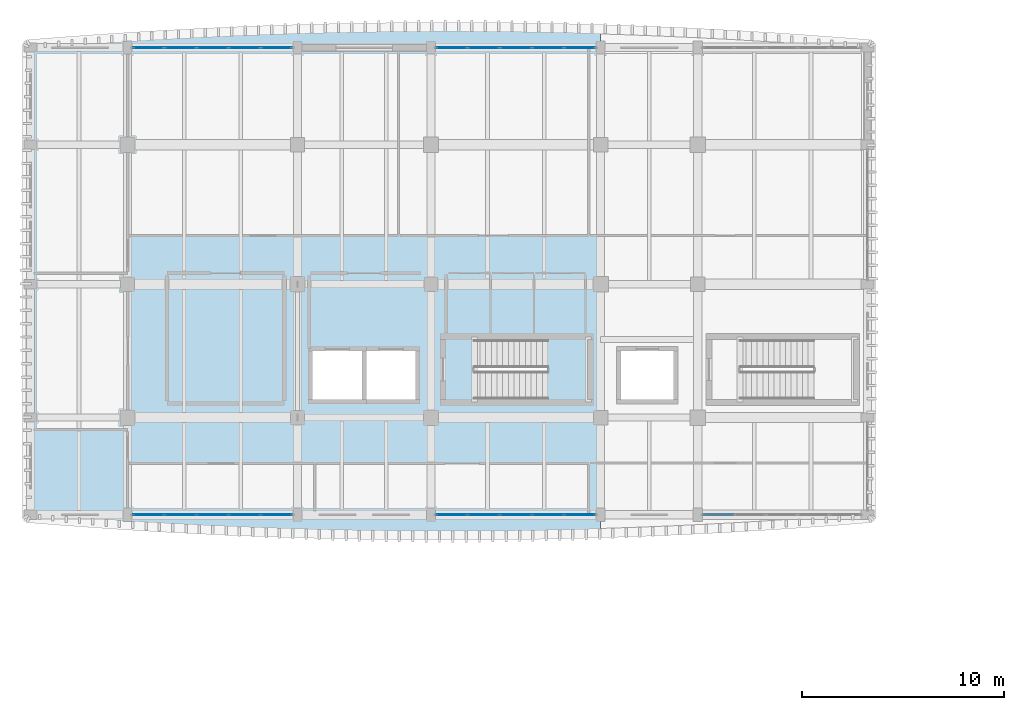
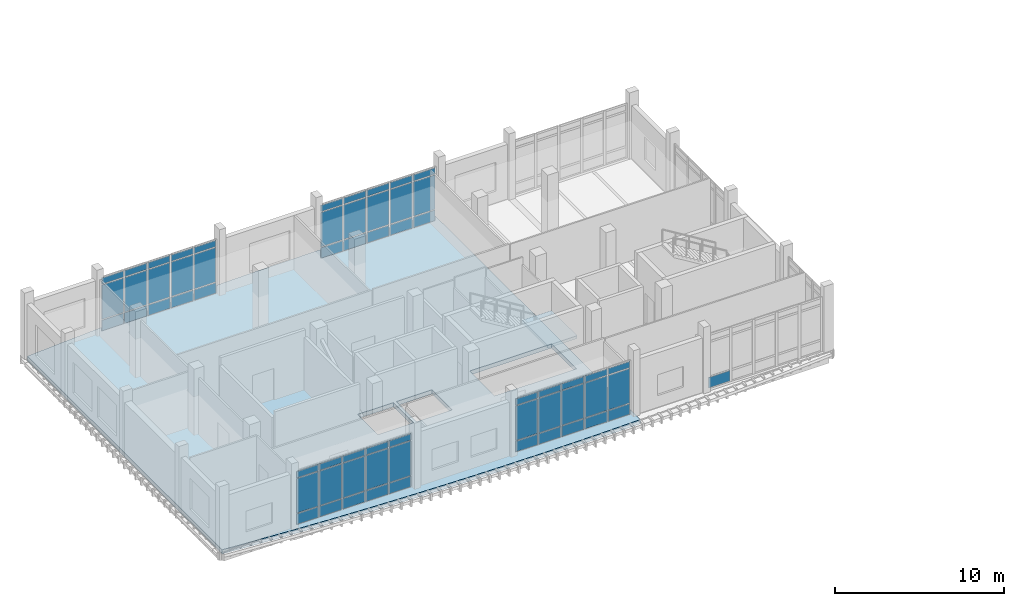
# One storey, part 14 of 37: 61 plates, 2 slabs, 6 elements without a shape of their own.
"""IFC4 building model written with IfcOpenShell, lengths in metres."""

from ifc_helpers import new_model, si_unit, direction, frame, origin, origin_2d, place, context, subcontext, project, spatial, polyline, rectangle, outline, extrude, material, layer, layer_set, type_object, element, aggregate, save


model = new_model("IFC4")

# Units and contexts
model_context = context("Model", 3, precision=1e-05, world=origin(), true_north=direction((0.0, 1.0)))
body_context = subcontext(model_context, "Body", "Model", "MODEL_VIEW")
ifc_project = project(units=[si_unit("LENGTHUNIT", "METRE"), si_unit("AREAUNIT", "SQUARE_METRE"), si_unit("VOLUMEUNIT", "CUBIC_METRE"), si_unit("PLANEANGLEUNIT", "RADIAN"), si_unit("MASSUNIT", "GRAM", prefix="KILO")], contexts=[model_context])

# Site, building, storey
site_placement = place(None, origin())
site = spatial("IfcSite", under=ifc_project, at=site_placement, CompositionType="ELEMENT")
building_placement = place(site_placement, origin())
building = spatial("IfcBuilding", under=site, at=building_placement, Name="Dornvale Research Institute", CompositionType="ELEMENT")
storey_placement = place(building_placement, frame((0.0, 0.0, 29.39990234375)))
storey = spatial("IfcBuildingStorey", under=building, at=storey_placement, Name="L06", CompositionType="ELEMENT", Elevation=29.39990234375)

# Curtain wall, plates
ifc_material_1 = material(Name="Low-E Argon Double Insulating Glazing Unit", Category="glass")
curtain_wall_type_1 = type_object("IfcCurtainWallType", Name="UnitisedCurtainWall_V5_7950x3950", PredefinedType="USERDEFINED", material=ifc_material_1)
curtain_wall_1_placement = place(storey_placement, origin())
curtain_wall_1 = element("IfcCurtainWall", 1, at=curtain_wall_1_placement, inside=storey, type_object=curtain_wall_type_1, Name="L06 V5 unitised curtain wall CW-30 #173", ObjectType="UNITISED CURTAIN WALL", PredefinedType="USERDEFINED")
ifc_material_2 = material(Name="Insulated Ceramic-Frit Spandrel Glass Panel", Category="glass")
ifc_layer_1 = layer(ifc_material_2, 0.0419921875)
ifc_layer_set_1 = layer_set([ifc_layer_1], Name="Insulated Ceramic-Frit Spandrel Glass Panel")
plate_type_1 = type_object("IfcPlateType", Name="CurtainPanel_Spandrel_42", PredefinedType="CURTAIN_PANEL", material=ifc_layer_set_1)
plate_1_placement = place(storey_placement, frame((5.836181640625, 122.10009765625, 0.065185546875), z_axis=(0.0, 0.0, 1.0), x_axis=(1.0, 0.0, 0.0)))
plate_1 = element("IfcPlate", 2, at=plate_1_placement, type_object=plate_type_1, Name="CW-30 panel 1.1", PredefinedType="CURTAIN_PANEL", context=body_context, shape_type="SweptSolid", body=[
    extrude(rectangle(XDim=1.492431640625, YDim=0.0419921875, at=origin_2d()), origin(), (0.0, 0.0, 1.0), 0.75244140625),
])
plate_2_placement = place(storey_placement, frame((7.409912109375, 122.10009765625, 0.065185546875), z_axis=(0.0, 0.0, 1.0), x_axis=(1.0, 0.0, 0.0)))
plate_2 = element("IfcPlate", 3, at=plate_2_placement, type_object=plate_type_1, Name="CW-30 panel 2.1", PredefinedType="CURTAIN_PANEL", context=body_context, shape_type="SweptSolid", body=[
    extrude(rectangle(XDim=1.52490234375, YDim=0.0419921875, at=origin_2d()), origin(), (0.0, 0.0, 1.0), 0.75244140625),
])
plate_3_placement = place(storey_placement, frame((9.0, 122.10009765625, 0.065185546875), z_axis=(0.0, 0.0, 1.0), x_axis=(1.0, 0.0, 0.0)))
plate_3 = element("IfcPlate", 4, at=plate_3_placement, type_object=plate_type_1, Name="CW-30 panel 3.1", PredefinedType="CURTAIN_PANEL", context=body_context, shape_type="SweptSolid", body=[
    extrude(rectangle(XDim=1.52490234375, YDim=0.0419921875, at=origin_2d()), origin(), (0.0, 0.0, 1.0), 0.75244140625),
])
plate_4_placement = place(storey_placement, frame((10.590087890625, 122.10009765625, 0.065185546875), z_axis=(0.0, 0.0, 1.0), x_axis=(1.0, 0.0, 0.0)))
plate_4 = element("IfcPlate", 5, at=plate_4_placement, type_object=plate_type_1, Name="CW-30 panel 4.1", PredefinedType="CURTAIN_PANEL", context=body_context, shape_type="SweptSolid", body=[
    extrude(rectangle(XDim=1.52490234375, YDim=0.0419921875, at=origin_2d()), origin(), (0.0, 0.0, 1.0), 0.75244140625),
])
plate_5_placement = place(storey_placement, frame((12.163818359375, 122.10009765625, 0.065185546875), z_axis=(0.0, 0.0, 1.0), x_axis=(1.0, 0.0, 0.0)))
plate_5 = element("IfcPlate", 6, at=plate_5_placement, type_object=plate_type_1, Name="CW-30 panel 5.1", PredefinedType="CURTAIN_PANEL", context=body_context, shape_type="SweptSolid", body=[
    extrude(rectangle(XDim=1.492431640625, YDim=0.0419921875, at=origin_2d()), origin(), (0.0, 0.0, 1.0), 0.75244140625),
])

curtain_wall_2_placement = place(storey_placement, origin())
curtain_wall_2 = element("IfcCurtainWall", 7, at=curtain_wall_2_placement, inside=storey, type_object=curtain_wall_type_1, Name="L06 V5 unitised curtain wall CW-30 #174", ObjectType="UNITISED CURTAIN WALL", PredefinedType="USERDEFINED")
plate_6_placement = place(storey_placement, frame((20.836181640625, 122.10009765625, 0.065185546875), z_axis=(0.0, 0.0, 1.0), x_axis=(1.0, 0.0, 0.0)))
plate_6 = element("IfcPlate", 8, at=plate_6_placement, type_object=plate_type_1, Name="CW-30 panel 1.1", PredefinedType="CURTAIN_PANEL", context=body_context, shape_type="SweptSolid", body=[
    extrude(rectangle(XDim=1.492431640625, YDim=0.0419921875, at=origin_2d()), origin(), (0.0, 0.0, 1.0), 0.75244140625),
])
plate_7_placement = place(storey_placement, frame((22.409912109375, 122.10009765625, 0.065185546875), z_axis=(0.0, 0.0, 1.0), x_axis=(1.0, 0.0, 0.0)))
plate_7 = element("IfcPlate", 9, at=plate_7_placement, type_object=plate_type_1, Name="CW-30 panel 2.1", PredefinedType="CURTAIN_PANEL", context=body_context, shape_type="SweptSolid", body=[
    extrude(rectangle(XDim=1.52490234375, YDim=0.0419921875, at=origin_2d()), origin(), (0.0, 0.0, 1.0), 0.75244140625),
])
plate_8_placement = place(storey_placement, frame((24.0, 122.10009765625, 0.065185546875), z_axis=(0.0, 0.0, 1.0), x_axis=(1.0, 0.0, 0.0)))
plate_8 = element("IfcPlate", 10, at=plate_8_placement, type_object=plate_type_1, Name="CW-30 panel 3.1", PredefinedType="CURTAIN_PANEL", context=body_context, shape_type="SweptSolid", body=[
    extrude(rectangle(XDim=1.52490234375, YDim=0.0419921875, at=origin_2d()), origin(), (0.0, 0.0, 1.0), 0.75244140625),
])
plate_9_placement = place(storey_placement, frame((25.590087890625, 122.10009765625, 0.065185546875), z_axis=(0.0, 0.0, 1.0), x_axis=(1.0, 0.0, 0.0)))
plate_9 = element("IfcPlate", 11, at=plate_9_placement, type_object=plate_type_1, Name="CW-30 panel 4.1", PredefinedType="CURTAIN_PANEL", context=body_context, shape_type="SweptSolid", body=[
    extrude(rectangle(XDim=1.52490234375, YDim=0.0419921875, at=origin_2d()), origin(), (0.0, 0.0, 1.0), 0.75244140625),
])
plate_10_placement = place(storey_placement, frame((27.163818359375, 122.10009765625, 0.065185546875), z_axis=(0.0, 0.0, 1.0), x_axis=(1.0, 0.0, 0.0)))
plate_10 = element("IfcPlate", 12, at=plate_10_placement, type_object=plate_type_1, Name="CW-30 panel 5.1", PredefinedType="CURTAIN_PANEL", context=body_context, shape_type="SweptSolid", body=[
    extrude(rectangle(XDim=1.492431640625, YDim=0.0419921875, at=origin_2d()), origin(), (0.0, 0.0, 1.0), 0.75244140625),
])

# Curtain wall, plate
ifc_material_3 = material(Name="Low-E Argon Double Insulating Glazing Unit", Category="glass")
curtain_wall_type_2 = type_object("IfcCurtainWallType", Name="UnitisedCurtainWall_V5_7850x3950", PredefinedType="USERDEFINED", material=ifc_material_3)
curtain_wall_3_placement = place(storey_placement, origin())
curtain_wall_3 = element("IfcCurtainWall", 13, at=curtain_wall_3_placement, inside=storey, type_object=curtain_wall_type_2, Name="L06 V5 unitised curtain wall CW-31 #178", ObjectType="UNITISED CURTAIN WALL", PredefinedType="USERDEFINED")
plate_11_placement = place(storey_placement, frame((34.0263671875, 99.0, 0.065185546875), z_axis=(0.0, 0.0, 1.0), x_axis=(-1.0, 0.0, 0.0)))
plate_11 = element("IfcPlate", 14, at=plate_11_placement, type_object=plate_type_1, Name="CW-31 panel 5.1", PredefinedType="CURTAIN_PANEL", context=body_context, shape_type="SweptSolid", body=[
    extrude(rectangle(XDim=1.472412109375, YDim=0.0419921875, at=origin_2d()), origin(), (0.0, 0.0, 1.0), 0.75244140625),
])
aggregate(curtain_wall_3, [plate_11])

# Curtain wall, plates
curtain_wall_4_placement = place(storey_placement, origin())
curtain_wall_4 = element("IfcCurtainWall", 15, at=curtain_wall_4_placement, inside=storey, type_object=curtain_wall_type_1, Name="L06 V5 unitised curtain wall CW-30 #179", ObjectType="UNITISED CURTAIN WALL", PredefinedType="USERDEFINED")
plate_12_placement = place(storey_placement, frame((27.163818359375, 99.0, 0.065185546875), z_axis=(0.0, 0.0, 1.0), x_axis=(-1.0, 0.0, 0.0)))
plate_12 = element("IfcPlate", 16, at=plate_12_placement, type_object=plate_type_1, Name="CW-30 panel 1.1", PredefinedType="CURTAIN_PANEL", context=body_context, shape_type="SweptSolid", body=[
    extrude(rectangle(XDim=1.492431640625, YDim=0.0419921875, at=origin_2d()), origin(), (0.0, 0.0, 1.0), 0.75244140625),
])
plate_13_placement = place(storey_placement, frame((25.590087890625, 99.0, 0.065185546875), z_axis=(0.0, 0.0, 1.0), x_axis=(-1.0, 0.0, 0.0)))
plate_13 = element("IfcPlate", 17, at=plate_13_placement, type_object=plate_type_1, Name="CW-30 panel 2.1", PredefinedType="CURTAIN_PANEL", context=body_context, shape_type="SweptSolid", body=[
    extrude(rectangle(XDim=1.52490234375, YDim=0.0419921875, at=origin_2d()), origin(), (0.0, 0.0, 1.0), 0.75244140625),
])
plate_14_placement = place(storey_placement, frame((24.0, 99.0, 0.065185546875), z_axis=(0.0, 0.0, 1.0), x_axis=(-1.0, 0.0, 0.0)))
plate_14 = element("IfcPlate", 18, at=plate_14_placement, type_object=plate_type_1, Name="CW-30 panel 3.1", PredefinedType="CURTAIN_PANEL", context=body_context, shape_type="SweptSolid", body=[
    extrude(rectangle(XDim=1.52490234375, YDim=0.0419921875, at=origin_2d()), origin(), (0.0, 0.0, 1.0), 0.75244140625),
])
plate_15_placement = place(storey_placement, frame((22.409912109375, 99.0, 0.065185546875), z_axis=(0.0, 0.0, 1.0), x_axis=(-1.0, 0.0, 0.0)))
plate_15 = element("IfcPlate", 19, at=plate_15_placement, type_object=plate_type_1, Name="CW-30 panel 4.1", PredefinedType="CURTAIN_PANEL", context=body_context, shape_type="SweptSolid", body=[
    extrude(rectangle(XDim=1.52490234375, YDim=0.0419921875, at=origin_2d()), origin(), (0.0, 0.0, 1.0), 0.75244140625),
])
plate_16_placement = place(storey_placement, frame((20.836181640625, 99.0, 0.065185546875), z_axis=(0.0, 0.0, 1.0), x_axis=(-1.0, 0.0, 0.0)))
plate_16 = element("IfcPlate", 20, at=plate_16_placement, type_object=plate_type_1, Name="CW-30 panel 5.1", PredefinedType="CURTAIN_PANEL", context=body_context, shape_type="SweptSolid", body=[
    extrude(rectangle(XDim=1.492431640625, YDim=0.0419921875, at=origin_2d()), origin(), (0.0, 0.0, 1.0), 0.75244140625),
])

curtain_wall_5_placement = place(storey_placement, origin())
curtain_wall_5 = element("IfcCurtainWall", 21, at=curtain_wall_5_placement, inside=storey, type_object=curtain_wall_type_1, Name="L06 V5 unitised curtain wall CW-30 #180", ObjectType="UNITISED CURTAIN WALL", PredefinedType="USERDEFINED")
plate_17_placement = place(storey_placement, frame((12.163818359375, 99.0, 0.065185546875), z_axis=(0.0, 0.0, 1.0), x_axis=(-1.0, 0.0, 0.0)))
plate_17 = element("IfcPlate", 22, at=plate_17_placement, type_object=plate_type_1, Name="CW-30 panel 1.1", PredefinedType="CURTAIN_PANEL", context=body_context, shape_type="SweptSolid", body=[
    extrude(rectangle(XDim=1.492431640625, YDim=0.0419921875, at=origin_2d()), origin(), (0.0, 0.0, 1.0), 0.75244140625),
])
plate_18_placement = place(storey_placement, frame((10.590087890625, 99.0, 0.065185546875), z_axis=(0.0, 0.0, 1.0), x_axis=(-1.0, 0.0, 0.0)))
plate_18 = element("IfcPlate", 23, at=plate_18_placement, type_object=plate_type_1, Name="CW-30 panel 2.1", PredefinedType="CURTAIN_PANEL", context=body_context, shape_type="SweptSolid", body=[
    extrude(rectangle(XDim=1.52490234375, YDim=0.0419921875, at=origin_2d()), origin(), (0.0, 0.0, 1.0), 0.75244140625),
])
plate_19_placement = place(storey_placement, frame((9.0, 99.0, 0.065185546875), z_axis=(0.0, 0.0, 1.0), x_axis=(-1.0, 0.0, 0.0)))
plate_19 = element("IfcPlate", 24, at=plate_19_placement, type_object=plate_type_1, Name="CW-30 panel 3.1", PredefinedType="CURTAIN_PANEL", context=body_context, shape_type="SweptSolid", body=[
    extrude(rectangle(XDim=1.52490234375, YDim=0.0419921875, at=origin_2d()), origin(), (0.0, 0.0, 1.0), 0.75244140625),
])
plate_20_placement = place(storey_placement, frame((7.409912109375, 99.0, 0.065185546875), z_axis=(0.0, 0.0, 1.0), x_axis=(-1.0, 0.0, 0.0)))
plate_20 = element("IfcPlate", 25, at=plate_20_placement, type_object=plate_type_1, Name="CW-30 panel 4.1", PredefinedType="CURTAIN_PANEL", context=body_context, shape_type="SweptSolid", body=[
    extrude(rectangle(XDim=1.52490234375, YDim=0.0419921875, at=origin_2d()), origin(), (0.0, 0.0, 1.0), 0.75244140625),
])
plate_21_placement = place(storey_placement, frame((5.836181640625, 99.0, 0.065185546875), z_axis=(0.0, 0.0, 1.0), x_axis=(-1.0, 0.0, 0.0)))
plate_21 = element("IfcPlate", 26, at=plate_21_placement, type_object=plate_type_1, Name="CW-30 panel 5.1", PredefinedType="CURTAIN_PANEL", context=body_context, shape_type="SweptSolid", body=[
    extrude(rectangle(XDim=1.492431640625, YDim=0.0419921875, at=origin_2d()), origin(), (0.0, 0.0, 1.0), 0.75244140625),
])

# Plate
ifc_material_4 = material(Name="Low-E Argon Double Insulating Glazing Unit", Category="glass")
ifc_layer_2 = layer(ifc_material_4, 0.028076171875)
ifc_layer_set_2 = layer_set([ifc_layer_2], Name="Low-E Argon Double Insulating Glazing Unit")
plate_type_2 = type_object("IfcPlateType", Name="CurtainPanel_Vision_28", PredefinedType="CURTAIN_PANEL", material=ifc_layer_set_2)
plate_22_placement = place(storey_placement, frame((5.836181640625, 122.10009765625, 0.88232421875), z_axis=(0.0, 0.0, 1.0), x_axis=(1.0, 0.0, 0.0)))
plate_22 = element("IfcPlate", 27, at=plate_22_placement, type_object=plate_type_2, Name="CW-30 panel 1.2", PredefinedType="CURTAIN_PANEL", context=body_context, shape_type="SweptSolid", body=[
    extrude(rectangle(XDim=1.492431640625, YDim=0.028076171875, at=origin_2d()), origin(), (0.0, 0.0, 1.0), 2.485107421875),
])

plate_23_placement = place(storey_placement, frame((5.836181640625, 122.10009765625, 3.4326171875), z_axis=(0.0, 0.0, 1.0), x_axis=(1.0, 0.0, 0.0)))
plate_23 = element("IfcPlate", 28, at=plate_23_placement, type_object=plate_type_2, Name="CW-30 panel 1.3", PredefinedType="CURTAIN_PANEL", context=body_context, shape_type="SweptSolid", body=[
    extrude(rectangle(XDim=1.492431640625, YDim=0.028076171875, at=origin_2d()), origin(), (0.0, 0.0, 1.0), 0.452392578125),
])

plate_24_placement = place(storey_placement, frame((7.409912109375, 122.10009765625, 0.88232421875), z_axis=(0.0, 0.0, 1.0), x_axis=(1.0, 0.0, 0.0)))
plate_24 = element("IfcPlate", 29, at=plate_24_placement, type_object=plate_type_2, Name="CW-30 panel 2.2", PredefinedType="CURTAIN_PANEL", context=body_context, shape_type="SweptSolid", body=[
    extrude(rectangle(XDim=1.52490234375, YDim=0.028076171875, at=origin_2d()), origin(), (0.0, 0.0, 1.0), 2.485107421875),
])

plate_25_placement = place(storey_placement, frame((7.409912109375, 122.10009765625, 3.4326171875), z_axis=(0.0, 0.0, 1.0), x_axis=(1.0, 0.0, 0.0)))
plate_25 = element("IfcPlate", 30, at=plate_25_placement, type_object=plate_type_2, Name="CW-30 panel 2.3", PredefinedType="CURTAIN_PANEL", context=body_context, shape_type="SweptSolid", body=[
    extrude(rectangle(XDim=1.52490234375, YDim=0.028076171875, at=origin_2d()), origin(), (0.0, 0.0, 1.0), 0.452392578125),
])

plate_26_placement = place(storey_placement, frame((9.0, 122.10009765625, 0.88232421875), z_axis=(0.0, 0.0, 1.0), x_axis=(1.0, 0.0, 0.0)))
plate_26 = element("IfcPlate", 31, at=plate_26_placement, type_object=plate_type_2, Name="CW-30 panel 3.2", PredefinedType="CURTAIN_PANEL", context=body_context, shape_type="SweptSolid", body=[
    extrude(rectangle(XDim=1.52490234375, YDim=0.028076171875, at=origin_2d()), origin(), (0.0, 0.0, 1.0), 2.485107421875),
])

plate_27_placement = place(storey_placement, frame((9.0, 122.10009765625, 3.4326171875), z_axis=(0.0, 0.0, 1.0), x_axis=(1.0, 0.0, 0.0)))
plate_27 = element("IfcPlate", 32, at=plate_27_placement, type_object=plate_type_2, Name="CW-30 panel 3.3", PredefinedType="CURTAIN_PANEL", context=body_context, shape_type="SweptSolid", body=[
    extrude(rectangle(XDim=1.52490234375, YDim=0.028076171875, at=origin_2d()), origin(), (0.0, 0.0, 1.0), 0.452392578125),
])

plate_28_placement = place(storey_placement, frame((10.590087890625, 122.10009765625, 0.88232421875), z_axis=(0.0, 0.0, 1.0), x_axis=(1.0, 0.0, 0.0)))
plate_28 = element("IfcPlate", 33, at=plate_28_placement, type_object=plate_type_2, Name="CW-30 panel 4.2", PredefinedType="CURTAIN_PANEL", context=body_context, shape_type="SweptSolid", body=[
    extrude(rectangle(XDim=1.52490234375, YDim=0.028076171875, at=origin_2d()), origin(), (0.0, 0.0, 1.0), 2.485107421875),
])

plate_29_placement = place(storey_placement, frame((10.590087890625, 122.10009765625, 3.4326171875), z_axis=(0.0, 0.0, 1.0), x_axis=(1.0, 0.0, 0.0)))
plate_29 = element("IfcPlate", 34, at=plate_29_placement, type_object=plate_type_2, Name="CW-30 panel 4.3", PredefinedType="CURTAIN_PANEL", context=body_context, shape_type="SweptSolid", body=[
    extrude(rectangle(XDim=1.52490234375, YDim=0.028076171875, at=origin_2d()), origin(), (0.0, 0.0, 1.0), 0.452392578125),
])

plate_30_placement = place(storey_placement, frame((12.163818359375, 122.10009765625, 0.88232421875), z_axis=(0.0, 0.0, 1.0), x_axis=(1.0, 0.0, 0.0)))
plate_30 = element("IfcPlate", 35, at=plate_30_placement, type_object=plate_type_2, Name="CW-30 panel 5.2", PredefinedType="CURTAIN_PANEL", context=body_context, shape_type="SweptSolid", body=[
    extrude(rectangle(XDim=1.492431640625, YDim=0.028076171875, at=origin_2d()), origin(), (0.0, 0.0, 1.0), 2.485107421875),
])

plate_31_placement = place(storey_placement, frame((12.163818359375, 122.10009765625, 3.4326171875), z_axis=(0.0, 0.0, 1.0), x_axis=(1.0, 0.0, 0.0)))
plate_31 = element("IfcPlate", 36, at=plate_31_placement, type_object=plate_type_2, Name="CW-30 panel 5.3", PredefinedType="CURTAIN_PANEL", context=body_context, shape_type="SweptSolid", body=[
    extrude(rectangle(XDim=1.492431640625, YDim=0.028076171875, at=origin_2d()), origin(), (0.0, 0.0, 1.0), 0.452392578125),
])

aggregate(curtain_wall_1, [plate_1, plate_22, plate_23, plate_2, plate_24, plate_25, plate_3, plate_26, plate_27, plate_4, plate_28, plate_29, plate_5, plate_30, plate_31])

plate_32_placement = place(storey_placement, frame((20.836181640625, 122.10009765625, 0.88232421875), z_axis=(0.0, 0.0, 1.0), x_axis=(1.0, 0.0, 0.0)))
plate_32 = element("IfcPlate", 37, at=plate_32_placement, type_object=plate_type_2, Name="CW-30 panel 1.2", PredefinedType="CURTAIN_PANEL", context=body_context, shape_type="SweptSolid", body=[
    extrude(rectangle(XDim=1.492431640625, YDim=0.028076171875, at=origin_2d()), origin(), (0.0, 0.0, 1.0), 2.485107421875),
])

plate_33_placement = place(storey_placement, frame((20.836181640625, 122.10009765625, 3.4326171875), z_axis=(0.0, 0.0, 1.0), x_axis=(1.0, 0.0, 0.0)))
plate_33 = element("IfcPlate", 38, at=plate_33_placement, type_object=plate_type_2, Name="CW-30 panel 1.3", PredefinedType="CURTAIN_PANEL", context=body_context, shape_type="SweptSolid", body=[
    extrude(rectangle(XDim=1.492431640625, YDim=0.028076171875, at=origin_2d()), origin(), (0.0, 0.0, 1.0), 0.452392578125),
])

plate_34_placement = place(storey_placement, frame((22.409912109375, 122.10009765625, 0.88232421875), z_axis=(0.0, 0.0, 1.0), x_axis=(1.0, 0.0, 0.0)))
plate_34 = element("IfcPlate", 39, at=plate_34_placement, type_object=plate_type_2, Name="CW-30 panel 2.2", PredefinedType="CURTAIN_PANEL", context=body_context, shape_type="SweptSolid", body=[
    extrude(rectangle(XDim=1.52490234375, YDim=0.028076171875, at=origin_2d()), origin(), (0.0, 0.0, 1.0), 2.485107421875),
])

plate_35_placement = place(storey_placement, frame((22.409912109375, 122.10009765625, 3.4326171875), z_axis=(0.0, 0.0, 1.0), x_axis=(1.0, 0.0, 0.0)))
plate_35 = element("IfcPlate", 40, at=plate_35_placement, type_object=plate_type_2, Name="CW-30 panel 2.3", PredefinedType="CURTAIN_PANEL", context=body_context, shape_type="SweptSolid", body=[
    extrude(rectangle(XDim=1.52490234375, YDim=0.028076171875, at=origin_2d()), origin(), (0.0, 0.0, 1.0), 0.452392578125),
])

plate_36_placement = place(storey_placement, frame((24.0, 122.10009765625, 0.88232421875), z_axis=(0.0, 0.0, 1.0), x_axis=(1.0, 0.0, 0.0)))
plate_36 = element("IfcPlate", 41, at=plate_36_placement, type_object=plate_type_2, Name="CW-30 panel 3.2", PredefinedType="CURTAIN_PANEL", context=body_context, shape_type="SweptSolid", body=[
    extrude(rectangle(XDim=1.52490234375, YDim=0.028076171875, at=origin_2d()), origin(), (0.0, 0.0, 1.0), 2.485107421875),
])

plate_37_placement = place(storey_placement, frame((24.0, 122.10009765625, 3.4326171875), z_axis=(0.0, 0.0, 1.0), x_axis=(1.0, 0.0, 0.0)))
plate_37 = element("IfcPlate", 42, at=plate_37_placement, type_object=plate_type_2, Name="CW-30 panel 3.3", PredefinedType="CURTAIN_PANEL", context=body_context, shape_type="SweptSolid", body=[
    extrude(rectangle(XDim=1.52490234375, YDim=0.028076171875, at=origin_2d()), origin(), (0.0, 0.0, 1.0), 0.452392578125),
])

plate_38_placement = place(storey_placement, frame((25.590087890625, 122.10009765625, 0.88232421875), z_axis=(0.0, 0.0, 1.0), x_axis=(1.0, 0.0, 0.0)))
plate_38 = element("IfcPlate", 43, at=plate_38_placement, type_object=plate_type_2, Name="CW-30 panel 4.2", PredefinedType="CURTAIN_PANEL", context=body_context, shape_type="SweptSolid", body=[
    extrude(rectangle(XDim=1.52490234375, YDim=0.028076171875, at=origin_2d()), origin(), (0.0, 0.0, 1.0), 2.485107421875),
])

plate_39_placement = place(storey_placement, frame((25.590087890625, 122.10009765625, 3.4326171875), z_axis=(0.0, 0.0, 1.0), x_axis=(1.0, 0.0, 0.0)))
plate_39 = element("IfcPlate", 44, at=plate_39_placement, type_object=plate_type_2, Name="CW-30 panel 4.3", PredefinedType="CURTAIN_PANEL", context=body_context, shape_type="SweptSolid", body=[
    extrude(rectangle(XDim=1.52490234375, YDim=0.028076171875, at=origin_2d()), origin(), (0.0, 0.0, 1.0), 0.452392578125),
])

plate_40_placement = place(storey_placement, frame((27.163818359375, 122.10009765625, 0.88232421875), z_axis=(0.0, 0.0, 1.0), x_axis=(1.0, 0.0, 0.0)))
plate_40 = element("IfcPlate", 45, at=plate_40_placement, type_object=plate_type_2, Name="CW-30 panel 5.2", PredefinedType="CURTAIN_PANEL", context=body_context, shape_type="SweptSolid", body=[
    extrude(rectangle(XDim=1.492431640625, YDim=0.028076171875, at=origin_2d()), origin(), (0.0, 0.0, 1.0), 2.485107421875),
])

plate_41_placement = place(storey_placement, frame((27.163818359375, 122.10009765625, 3.4326171875), z_axis=(0.0, 0.0, 1.0), x_axis=(1.0, 0.0, 0.0)))
plate_41 = element("IfcPlate", 46, at=plate_41_placement, type_object=plate_type_2, Name="CW-30 panel 5.3", PredefinedType="CURTAIN_PANEL", context=body_context, shape_type="SweptSolid", body=[
    extrude(rectangle(XDim=1.492431640625, YDim=0.028076171875, at=origin_2d()), origin(), (0.0, 0.0, 1.0), 0.452392578125),
])

aggregate(curtain_wall_2, [plate_6, plate_32, plate_33, plate_7, plate_34, plate_35, plate_8, plate_36, plate_37, plate_9, plate_38, plate_39, plate_10, plate_40, plate_41])

plate_42_placement = place(storey_placement, frame((27.163818359375, 99.0, 0.88232421875), z_axis=(0.0, 0.0, 1.0), x_axis=(-1.0, 0.0, 0.0)))
plate_42 = element("IfcPlate", 47, at=plate_42_placement, type_object=plate_type_2, Name="CW-30 panel 1.2", PredefinedType="CURTAIN_PANEL", context=body_context, shape_type="SweptSolid", body=[
    extrude(rectangle(XDim=1.492431640625, YDim=0.028076171875, at=origin_2d()), origin(), (0.0, 0.0, 1.0), 2.485107421875),
])

plate_43_placement = place(storey_placement, frame((27.163818359375, 99.0, 3.4326171875), z_axis=(0.0, 0.0, 1.0), x_axis=(-1.0, 0.0, 0.0)))
plate_43 = element("IfcPlate", 48, at=plate_43_placement, type_object=plate_type_2, Name="CW-30 panel 1.3", PredefinedType="CURTAIN_PANEL", context=body_context, shape_type="SweptSolid", body=[
    extrude(rectangle(XDim=1.492431640625, YDim=0.028076171875, at=origin_2d()), origin(), (0.0, 0.0, 1.0), 0.452392578125),
])

plate_44_placement = place(storey_placement, frame((25.590087890625, 99.0, 0.88232421875), z_axis=(0.0, 0.0, 1.0), x_axis=(-1.0, 0.0, 0.0)))
plate_44 = element("IfcPlate", 49, at=plate_44_placement, type_object=plate_type_2, Name="CW-30 panel 2.2", PredefinedType="CURTAIN_PANEL", context=body_context, shape_type="SweptSolid", body=[
    extrude(rectangle(XDim=1.52490234375, YDim=0.028076171875, at=origin_2d()), origin(), (0.0, 0.0, 1.0), 2.485107421875),
])

plate_45_placement = place(storey_placement, frame((25.590087890625, 99.0, 3.4326171875), z_axis=(0.0, 0.0, 1.0), x_axis=(-1.0, 0.0, 0.0)))
plate_45 = element("IfcPlate", 50, at=plate_45_placement, type_object=plate_type_2, Name="CW-30 panel 2.3", PredefinedType="CURTAIN_PANEL", context=body_context, shape_type="SweptSolid", body=[
    extrude(rectangle(XDim=1.52490234375, YDim=0.028076171875, at=origin_2d()), origin(), (0.0, 0.0, 1.0), 0.452392578125),
])

plate_46_placement = place(storey_placement, frame((24.0, 99.0, 0.88232421875), z_axis=(0.0, 0.0, 1.0), x_axis=(-1.0, 0.0, 0.0)))
plate_46 = element("IfcPlate", 51, at=plate_46_placement, type_object=plate_type_2, Name="CW-30 panel 3.2", PredefinedType="CURTAIN_PANEL", context=body_context, shape_type="SweptSolid", body=[
    extrude(rectangle(XDim=1.52490234375, YDim=0.028076171875, at=origin_2d()), origin(), (0.0, 0.0, 1.0), 2.485107421875),
])

plate_47_placement = place(storey_placement, frame((24.0, 99.0, 3.4326171875), z_axis=(0.0, 0.0, 1.0), x_axis=(-1.0, 0.0, 0.0)))
plate_47 = element("IfcPlate", 52, at=plate_47_placement, type_object=plate_type_2, Name="CW-30 panel 3.3", PredefinedType="CURTAIN_PANEL", context=body_context, shape_type="SweptSolid", body=[
    extrude(rectangle(XDim=1.52490234375, YDim=0.028076171875, at=origin_2d()), origin(), (0.0, 0.0, 1.0), 0.452392578125),
])

plate_48_placement = place(storey_placement, frame((22.409912109375, 99.0, 0.88232421875), z_axis=(0.0, 0.0, 1.0), x_axis=(-1.0, 0.0, 0.0)))
plate_48 = element("IfcPlate", 53, at=plate_48_placement, type_object=plate_type_2, Name="CW-30 panel 4.2", PredefinedType="CURTAIN_PANEL", context=body_context, shape_type="SweptSolid", body=[
    extrude(rectangle(XDim=1.52490234375, YDim=0.028076171875, at=origin_2d()), origin(), (0.0, 0.0, 1.0), 2.485107421875),
])

plate_49_placement = place(storey_placement, frame((22.409912109375, 99.0, 3.4326171875), z_axis=(0.0, 0.0, 1.0), x_axis=(-1.0, 0.0, 0.0)))
plate_49 = element("IfcPlate", 54, at=plate_49_placement, type_object=plate_type_2, Name="CW-30 panel 4.3", PredefinedType="CURTAIN_PANEL", context=body_context, shape_type="SweptSolid", body=[
    extrude(rectangle(XDim=1.52490234375, YDim=0.028076171875, at=origin_2d()), origin(), (0.0, 0.0, 1.0), 0.452392578125),
])

plate_50_placement = place(storey_placement, frame((20.836181640625, 99.0, 0.88232421875), z_axis=(0.0, 0.0, 1.0), x_axis=(-1.0, 0.0, 0.0)))
plate_50 = element("IfcPlate", 55, at=plate_50_placement, type_object=plate_type_2, Name="CW-30 panel 5.2", PredefinedType="CURTAIN_PANEL", context=body_context, shape_type="SweptSolid", body=[
    extrude(rectangle(XDim=1.492431640625, YDim=0.028076171875, at=origin_2d()), origin(), (0.0, 0.0, 1.0), 2.485107421875),
])

plate_51_placement = place(storey_placement, frame((20.836181640625, 99.0, 3.4326171875), z_axis=(0.0, 0.0, 1.0), x_axis=(-1.0, 0.0, 0.0)))
plate_51 = element("IfcPlate", 56, at=plate_51_placement, type_object=plate_type_2, Name="CW-30 panel 5.3", PredefinedType="CURTAIN_PANEL", context=body_context, shape_type="SweptSolid", body=[
    extrude(rectangle(XDim=1.492431640625, YDim=0.028076171875, at=origin_2d()), origin(), (0.0, 0.0, 1.0), 0.452392578125),
])

aggregate(curtain_wall_4, [plate_12, plate_42, plate_43, plate_13, plate_44, plate_45, plate_14, plate_46, plate_47, plate_15, plate_48, plate_49, plate_16, plate_50, plate_51])

plate_52_placement = place(storey_placement, frame((12.163818359375, 99.0, 0.88232421875), z_axis=(0.0, 0.0, 1.0), x_axis=(-1.0, 0.0, 0.0)))
plate_52 = element("IfcPlate", 57, at=plate_52_placement, type_object=plate_type_2, Name="CW-30 panel 1.2", PredefinedType="CURTAIN_PANEL", context=body_context, shape_type="SweptSolid", body=[
    extrude(rectangle(XDim=1.492431640625, YDim=0.028076171875, at=origin_2d()), origin(), (0.0, 0.0, 1.0), 2.485107421875),
])

plate_53_placement = place(storey_placement, frame((12.163818359375, 99.0, 3.4326171875), z_axis=(0.0, 0.0, 1.0), x_axis=(-1.0, 0.0, 0.0)))
plate_53 = element("IfcPlate", 58, at=plate_53_placement, type_object=plate_type_2, Name="CW-30 panel 1.3", PredefinedType="CURTAIN_PANEL", context=body_context, shape_type="SweptSolid", body=[
    extrude(rectangle(XDim=1.492431640625, YDim=0.028076171875, at=origin_2d()), origin(), (0.0, 0.0, 1.0), 0.452392578125),
])

plate_54_placement = place(storey_placement, frame((10.590087890625, 99.0, 0.88232421875), z_axis=(0.0, 0.0, 1.0), x_axis=(-1.0, 0.0, 0.0)))
plate_54 = element("IfcPlate", 59, at=plate_54_placement, type_object=plate_type_2, Name="CW-30 panel 2.2", PredefinedType="CURTAIN_PANEL", context=body_context, shape_type="SweptSolid", body=[
    extrude(rectangle(XDim=1.52490234375, YDim=0.028076171875, at=origin_2d()), origin(), (0.0, 0.0, 1.0), 2.485107421875),
])

plate_55_placement = place(storey_placement, frame((10.590087890625, 99.0, 3.4326171875), z_axis=(0.0, 0.0, 1.0), x_axis=(-1.0, 0.0, 0.0)))
plate_55 = element("IfcPlate", 60, at=plate_55_placement, type_object=plate_type_2, Name="CW-30 panel 2.3", PredefinedType="CURTAIN_PANEL", context=body_context, shape_type="SweptSolid", body=[
    extrude(rectangle(XDim=1.52490234375, YDim=0.028076171875, at=origin_2d()), origin(), (0.0, 0.0, 1.0), 0.452392578125),
])

plate_56_placement = place(storey_placement, frame((9.0, 99.0, 0.88232421875), z_axis=(0.0, 0.0, 1.0), x_axis=(-1.0, 0.0, 0.0)))
plate_56 = element("IfcPlate", 61, at=plate_56_placement, type_object=plate_type_2, Name="CW-30 panel 3.2", PredefinedType="CURTAIN_PANEL", context=body_context, shape_type="SweptSolid", body=[
    extrude(rectangle(XDim=1.52490234375, YDim=0.028076171875, at=origin_2d()), origin(), (0.0, 0.0, 1.0), 2.485107421875),
])

plate_57_placement = place(storey_placement, frame((9.0, 99.0, 3.4326171875), z_axis=(0.0, 0.0, 1.0), x_axis=(-1.0, 0.0, 0.0)))
plate_57 = element("IfcPlate", 62, at=plate_57_placement, type_object=plate_type_2, Name="CW-30 panel 3.3", PredefinedType="CURTAIN_PANEL", context=body_context, shape_type="SweptSolid", body=[
    extrude(rectangle(XDim=1.52490234375, YDim=0.028076171875, at=origin_2d()), origin(), (0.0, 0.0, 1.0), 0.452392578125),
])

plate_58_placement = place(storey_placement, frame((7.409912109375, 99.0, 0.88232421875), z_axis=(0.0, 0.0, 1.0), x_axis=(-1.0, 0.0, 0.0)))
plate_58 = element("IfcPlate", 63, at=plate_58_placement, type_object=plate_type_2, Name="CW-30 panel 4.2", PredefinedType="CURTAIN_PANEL", context=body_context, shape_type="SweptSolid", body=[
    extrude(rectangle(XDim=1.52490234375, YDim=0.028076171875, at=origin_2d()), origin(), (0.0, 0.0, 1.0), 2.485107421875),
])

plate_59_placement = place(storey_placement, frame((7.409912109375, 99.0, 3.4326171875), z_axis=(0.0, 0.0, 1.0), x_axis=(-1.0, 0.0, 0.0)))
plate_59 = element("IfcPlate", 64, at=plate_59_placement, type_object=plate_type_2, Name="CW-30 panel 4.3", PredefinedType="CURTAIN_PANEL", context=body_context, shape_type="SweptSolid", body=[
    extrude(rectangle(XDim=1.52490234375, YDim=0.028076171875, at=origin_2d()), origin(), (0.0, 0.0, 1.0), 0.452392578125),
])

plate_60_placement = place(storey_placement, frame((5.836181640625, 99.0, 0.88232421875), z_axis=(0.0, 0.0, 1.0), x_axis=(-1.0, 0.0, 0.0)))
plate_60 = element("IfcPlate", 65, at=plate_60_placement, type_object=plate_type_2, Name="CW-30 panel 5.2", PredefinedType="CURTAIN_PANEL", context=body_context, shape_type="SweptSolid", body=[
    extrude(rectangle(XDim=1.492431640625, YDim=0.028076171875, at=origin_2d()), origin(), (0.0, 0.0, 1.0), 2.485107421875),
])

plate_61_placement = place(storey_placement, frame((5.836181640625, 99.0, 3.4326171875), z_axis=(0.0, 0.0, 1.0), x_axis=(-1.0, 0.0, 0.0)))
plate_61 = element("IfcPlate", 66, at=plate_61_placement, type_object=plate_type_2, Name="CW-30 panel 5.3", PredefinedType="CURTAIN_PANEL", context=body_context, shape_type="SweptSolid", body=[
    extrude(rectangle(XDim=1.492431640625, YDim=0.028076171875, at=origin_2d()), origin(), (0.0, 0.0, 1.0), 0.452392578125),
])

aggregate(curtain_wall_5, [plate_17, plate_52, plate_53, plate_18, plate_54, plate_55, plate_19, plate_56, plate_57, plate_20, plate_58, plate_59, plate_21, plate_60, plate_61])

# Slab
ifc_material_5 = material(Name="Concrete f'c 45 MPa (C35/45)", Category="concrete")
ifc_layer_3 = layer(ifc_material_5, 0.300048828125)
ifc_layer_set_3 = layer_set([ifc_layer_3], Name="Concrete f'c 45 MPa (C35/45)")
slab_type_1 = type_object("IfcSlabType", Name="FloorSlab_DryLab_300", PredefinedType="FLOOR", material=ifc_layer_set_3)
slab_1_placement = place(storey_placement, frame((0.0, 0.0, -0.2998046875)))
element("IfcSlab", 67, at=slab_1_placement, inside=storey, type_object=slab_type_1, Name="L06 V5 W floor slab", PredefinedType="FLOOR", context=body_context, shape_type="SweptSolid", body=[
    extrude(outline(polyline([(28.152099609375, 98.26025390625), (26.49609375, 98.216552734375), (24.840087890625, 98.18408203125), (23.18408203125, 98.162109375), (21.528076171875, 98.1513671875), (19.8720703125, 98.1513671875), (18.216064453125, 98.162109375), (16.56005859375, 98.18408203125), (14.904052734375, 98.216552734375), (13.248046875, 98.26025390625), (11.592041015625, 98.314697265625), (9.93603515625, 98.3798828125), (8.280029296875, 98.4560546875), (6.6240234375, 98.54296875), (4.968017578125, 98.64111328125), (3.31201171875, 98.749755859375), (1.656005859375, 98.869384765625), (0.0, 99.0), (0.0, 122.10009765625), (1.656005859375, 122.230712890625), (3.31201171875, 122.35009765625), (4.968017578125, 122.458984375), (6.6240234375, 122.556884765625), (8.280029296875, 122.64404296875), (9.93603515625, 122.72021484375), (11.592041015625, 122.785400390625), (13.248046875, 122.83984375), (14.904052734375, 122.88330078125), (16.56005859375, 122.916015625), (18.216064453125, 122.937744140625), (19.8720703125, 122.948486328125), (21.528076171875, 122.948486328125), (23.18408203125, 122.937744140625), (24.840087890625, 122.916015625), (26.49609375, 122.88330078125), (28.152099609375, 122.83984375), (28.199951171875, 122.838134765625), (28.199951171875, 98.26171875), (28.152099609375, 98.26025390625)]), holes=[polyline([(21.949951171875, 104.699951171875), (27.550048828125, 104.699951171875), (27.550048828125, 107.659912109375), (21.949951171875, 107.659912109375), (21.949951171875, 104.699951171875)]), polyline([(13.949951171875, 104.699951171875), (16.39990234375, 104.699951171875), (16.39990234375, 107.10009765625), (13.949951171875, 107.10009765625), (13.949951171875, 104.699951171875)]), polyline([(16.60009765625, 104.699951171875), (19.050048828125, 104.699951171875), (19.050048828125, 107.10009765625), (16.60009765625, 107.10009765625), (16.60009765625, 104.699951171875)])]), origin(), (0.0, 0.0, 1.0), 0.2998046875),
])

# Stair, slab
ifc_material_6 = material(Name="Concrete f'c 45 MPa (C35/45)", Category="concrete")
stair_type = type_object("IfcStairType", Name="HalfTurnStair_RC", PredefinedType="HALF_TURN_STAIR", material=ifc_material_6)
stair_placement = place(storey_placement, origin())
stair = element("IfcStair", 68, at=stair_placement, inside=storey, type_object=stair_type, Name="L06 Exit stair ST-1", PredefinedType="HALF_TURN_STAIR")
ifc_material_7 = material(Name="Concrete f'c 45 MPa (C35/45)", Category="concrete")
ifc_layer_4 = layer(ifc_material_7, 0.199951171875)
ifc_layer_set_4 = layer_set([ifc_layer_4], Name="Concrete f'c 45 MPa (C35/45)")
slab_type_2 = type_object("IfcSlabType", Name="Landing_Stair_200", PredefinedType="LANDING", material=ifc_layer_set_4)
slab_2_placement = place(storey_placement, frame((0.0, 0.0, 2.2001953125)))
slab_2 = element("IfcSlab", 69, at=slab_2_placement, type_object=slab_type_2, Name="ST-1 landing 1", PredefinedType="LANDING", context=body_context, shape_type="SweptSolid", body=[
    extrude(outline(polyline([(25.56005859375, 104.669921875), (25.56005859375, 107.68994140625), (27.580078125, 107.68994140625), (27.580078125, 104.669921875), (25.56005859375, 104.669921875)])), origin(), (0.0, 0.0, 1.0), 0.199951171875),
])
aggregate(stair, [slab_2])

save(model, "model.ifc")
